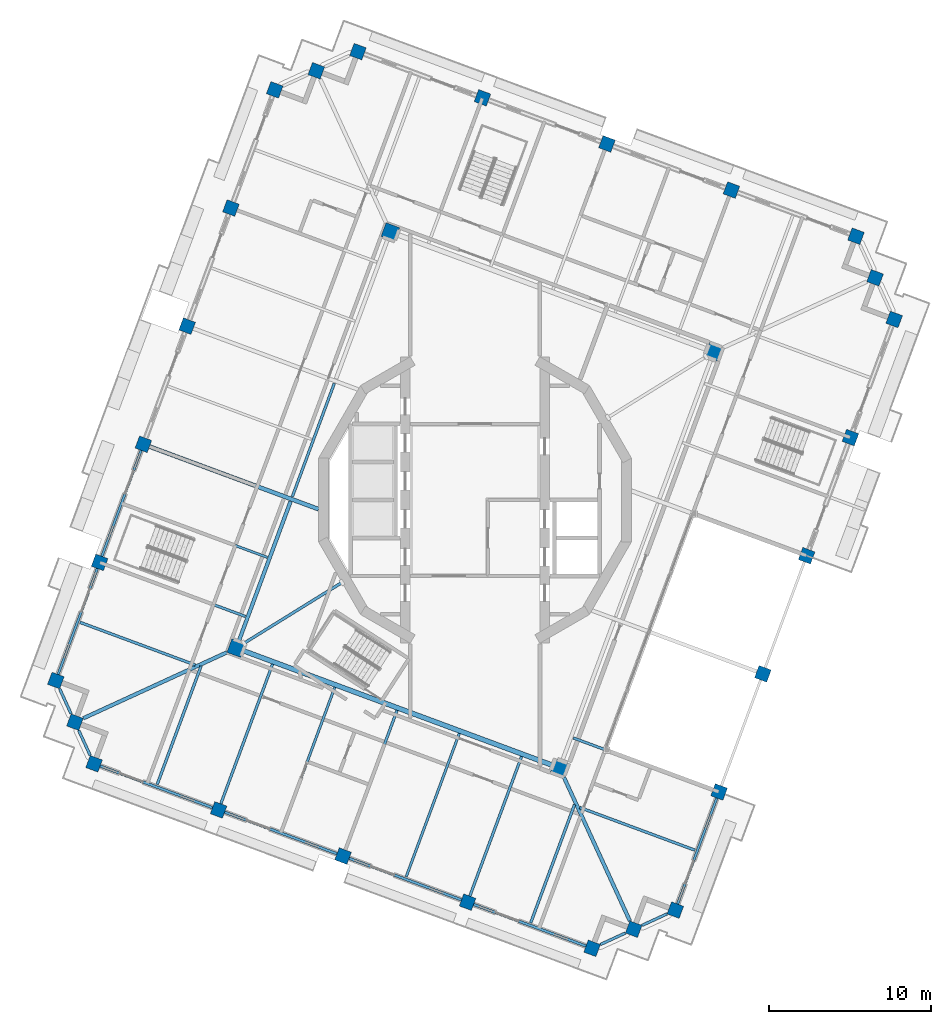
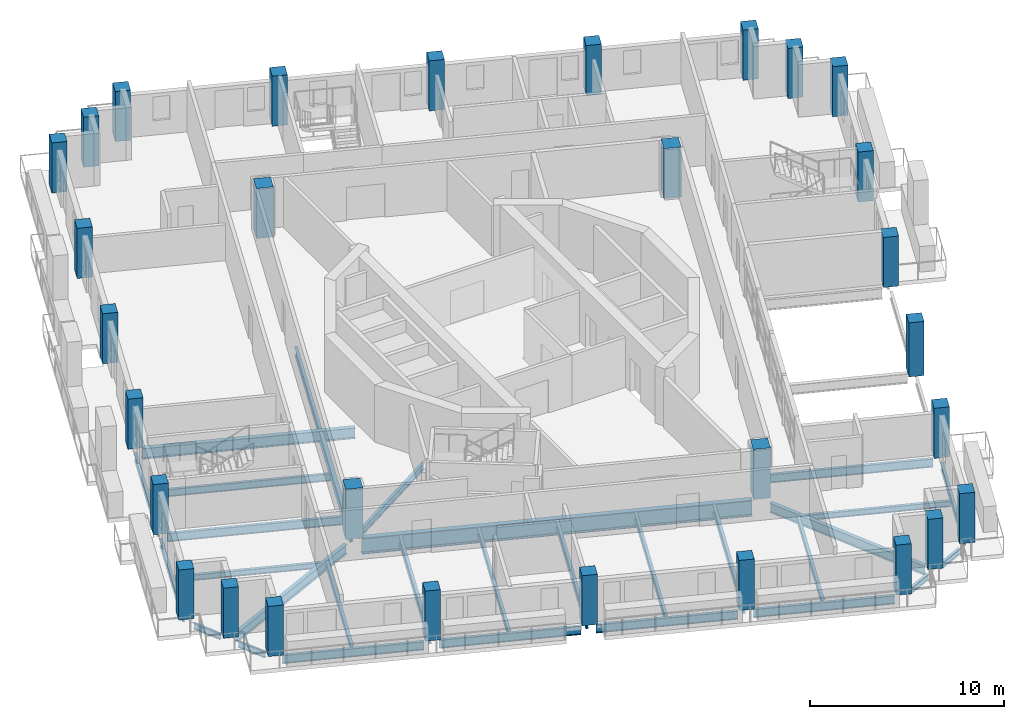
# One storey, part 1 of 19: 30 beams, 30 columns.
"""IFC4 building model written with IfcOpenShell, lengths in metres."""

import ifcopenshell
import ifcopenshell.guid

model = None  # the IFC model being written
_history = None  # IfcOwnerHistory: only IFC2X3 demands one
_inside = {}  # id of a spatial element -> (the spatial element, [elements in it])
_under = {}  # id of a project, library or spatial element -> (it, [spatial elements below it])
_declared = {}  # id of a project -> (the project, [libraries it declares])
_typed = {}  # id of a type object -> (the type object, [elements of that type])
_made_of = {}  # id of a material, layer set ... -> (it, [elements and type objects made of it])


def new_model(schema):
    """Start an empty IFC model of exactly this schema.

    Asked for "IFC4X3", IfcOpenShell would pick the latest addendum, in which some entities
    have other attributes; the version numbers below select the first issue.
    IFC2X3 requires an IfcOwnerHistory on every rooted entity: one is made here for all.
    """
    global model, _history
    if schema == "IFC4X3":
        model = ifcopenshell.file(schema_version=(4, 3, 0, 0))
    else:
        model = ifcopenshell.file(schema=schema)
    _inside.clear()
    _under.clear()
    _declared.clear()
    _typed.clear()
    _made_of.clear()
    _history = None
    if model.schema == "IFC2X3":
        org = make("IfcOrganization", Name="unknown")
        user = make(
            "IfcPersonAndOrganization",
            ThePerson=make("IfcPerson", FamilyName="unknown"),
            TheOrganization=org,
        )
        app = make(
            "IfcApplication",
            ApplicationDeveloper=org,
            Version="unknown",
            ApplicationFullName="unknown",
            ApplicationIdentifier="unknown",
        )
        _history = make(
            "IfcOwnerHistory",
            OwningUser=user,
            OwningApplication=app,
            ChangeAction="ADDED",
            CreationDate=0,
        )
    return model


def make(cls, **values):
    """One entity of the class cls with the attributes given. An attribute that is None is left unset."""
    return model.create_entity(
        cls, **{name: value for name, value in values.items() if value is not None}
    )


def rooted(cls, **values):
    """An entity with a GlobalId (a new one), such as an element, a storey or a relation."""
    return make(cls, GlobalId=ifcopenshell.guid.new(), OwnerHistory=_history, **values)


def si_unit(unit_type, name, prefix=None):
    """IfcSIUnit, for example si_unit("LENGTHUNIT", "METRE", prefix="MILLI")."""
    return make("IfcSIUnit", UnitType=unit_type, Prefix=prefix, Name=name)


def assignment(units):
    """IfcUnitAssignment: the units of a project."""
    return None if units is None else make("IfcUnitAssignment", Units=units)


def point(xyz):
    """IfcCartesianPoint."""
    return None if xyz is None else make("IfcCartesianPoint", Coordinates=xyz)


def direction(xyz):
    """IfcDirection."""
    return None if xyz is None else make("IfcDirection", DirectionRatios=xyz)


def frame(location, z_axis=None, x_axis=None):
    """IfcAxis2Placement3D, a coordinate frame: its origin and axes. An axis left out is left unset."""
    return make(
        "IfcAxis2Placement3D",
        Location=point(location),
        Axis=direction(z_axis),
        RefDirection=direction(x_axis),
    )


def frame_2d(location, x_axis=None):
    """IfcAxis2Placement2D, a coordinate frame in the plane: its origin and x axis."""
    return make(
        "IfcAxis2Placement2D", Location=point(location), RefDirection=direction(x_axis)
    )


def origin():
    """The frame at (0, 0, 0) with its axes left unset."""
    return frame((0.0, 0.0, 0.0))


def origin_2d():
    """The frame at (0, 0) in the plane with its x axis left unset."""
    return frame_2d((0.0, 0.0))


def place(relative_to, where):
    """IfcLocalPlacement: puts the frame where relative to a parent placement (None: the world)."""
    return make(
        "IfcLocalPlacement", PlacementRelTo=relative_to, RelativePlacement=where
    )


def context(
    kind, dimensions, precision=None, world=None, true_north=None, identifier=None
):
    """IfcGeometricRepresentationContext, for example the 3D "Model" context."""
    return make(
        "IfcGeometricRepresentationContext",
        ContextIdentifier=identifier,
        ContextType=kind,
        CoordinateSpaceDimension=dimensions,
        Precision=precision,
        WorldCoordinateSystem=world,
        TrueNorth=true_north,
    )


def subcontext(parent, identifier, kind, view, scale=None):
    """IfcGeometricRepresentationSubContext, for example "Body" below "Model"."""
    return make(
        "IfcGeometricRepresentationSubContext",
        ContextIdentifier=identifier,
        ContextType=kind,
        ParentContext=parent,
        TargetScale=scale,
        TargetView=view,
    )


def project(units=None, contexts=None):
    """IfcProject with its units and contexts."""
    return rooted(
        "IfcProject",
        Name="project",
        RepresentationContexts=contexts,
        UnitsInContext=assignment(units),
    )


def spatial(cls, under=None, at=None, **own):
    """A site, building, storey or space (cls), placed at a placement, below another one or the project."""
    s = rooted(cls, ObjectPlacement=at, **own)
    if under is not None:
        _under.setdefault(under.id(), (under, []))[1].append(s)
    return s


def profile(cls, at=None, kind="AREA", **sizes):
    """A parametric profile (cls). Its sizes go by their IFC names, for example OverallWidth=200.0."""
    return make(cls, ProfileType=kind, Position=at, **sizes)


def rectangle(**sizes):
    """IfcRectangleProfileDef."""
    return profile("IfcRectangleProfileDef", **sizes)


def i_section(**sizes):
    """IfcIShapeProfileDef."""
    return profile("IfcIShapeProfileDef", **sizes)


def extrude(swept, where, along, depth):
    """IfcExtrudedAreaSolid: the profile swept, set in the frame where, extruded along a direction by depth."""
    return make(
        "IfcExtrudedAreaSolid",
        SweptArea=swept,
        Position=where,
        ExtrudedDirection=direction(along),
        Depth=depth,
    )


def shape(context_of_items, identifier, shape_type, items):
    """IfcShapeRepresentation: the items that make up one representation, for example the "Body"."""
    return make(
        "IfcShapeRepresentation",
        ContextOfItems=context_of_items,
        RepresentationIdentifier=identifier,
        RepresentationType=shape_type,
        Items=items,
    )


def material(Name=None, Category=None):
    """IfcMaterial."""
    return make("IfcMaterial", Name=Name, Category=Category)


def material_profile(
    of_material, cross_section, Name=None, Category=None, Priority=None
):
    """IfcMaterialProfile: a cross section and its material."""
    return make(
        "IfcMaterialProfile",
        Name=Name,
        Material=of_material,
        Profile=cross_section,
        Priority=Priority,
        Category=Category,
    )


def profile_set(profiles, Name=None, composite=None):
    """IfcMaterialProfileSet."""
    return make(
        "IfcMaterialProfileSet",
        Name=Name,
        MaterialProfiles=profiles,
        CompositeProfile=composite,
    )


def made_of(thing, what):
    """Note that an element or type object is made of a material, layer set ...; save() writes the relation."""
    if what is not None:
        _made_of.setdefault(what.id(), (what, []))[1].append(thing)
    return thing


def type_object(cls, material=None, **own):
    """A type object (cls), such as IfcWallType, which elements share."""
    return made_of(rooted(cls, **own), material)


def element(
    cls,
    number,
    at=None,
    inside=None,
    cuts=None,
    type_object=None,
    material=None,
    context=None,
    identifier="Body",
    shape_type=None,
    held_by="IfcProductDefinitionShape",
    body=None,
    shapes=None,
    **own,
):
    """One element of the class cls, such as IfcWall. Its Tag is "e" and its number.

    at: its placement. inside: the storey or other place that contains it. cuts: it is an
    opening in that element (IfcRelVoidsElement). A single representation is given by context,
    identifier, shape_type and body (its items); several are given by shapes. held_by: the class
    of the entity that holds the representations. save() writes the other relations.
    """
    e = rooted(cls, Tag="e%d" % number, ObjectPlacement=at, **own)
    if body is not None:
        shapes = [shape(context, identifier, shape_type, body)]
    if shapes is not None:
        e.Representation = make(held_by, Representations=shapes)
    if inside is not None:
        _inside.setdefault(inside.id(), (inside, []))[1].append(e)
    if cuts is not None:
        rooted(
            "IfcRelVoidsElement", RelatingBuildingElement=cuts, RelatedOpeningElement=e
        )
    if type_object is not None:
        _typed.setdefault(type_object.id(), (type_object, []))[1].append(e)
    return made_of(e, material)


def aggregate(whole, parts):
    """IfcRelAggregates: a whole, such as a stair, and the parts it consists of."""
    return rooted("IfcRelAggregates", RelatingObject=whole, RelatedObjects=parts)


def save(model, path):
    """Write the relations noted so far, then the file.

    IfcRelAggregates (storeys below a building ...), IfcRelContainedInSpatialStructure (elements
    in a storey), IfcRelDefinesByType, IfcRelAssociatesMaterial and IfcRelDeclares: one each for
    every whole, place, type object, material and project.
    """
    for whole, parts in _under.values():
        aggregate(whole, parts)
    for where, things in _inside.values():
        rooted(
            "IfcRelContainedInSpatialStructure",
            RelatedElements=things,
            RelatingStructure=where,
        )
    for kind, things in _typed.values():
        rooted("IfcRelDefinesByType", RelatedObjects=things, RelatingType=kind)
    for what, things in _made_of.values():
        rooted("IfcRelAssociatesMaterial", RelatedObjects=things, RelatingMaterial=what)
    for by, libraries in _declared.values():
        rooted("IfcRelDeclares", RelatingContext=by, RelatedDefinitions=libraries)
    model.write(path)


model = new_model("IFC4")

# Units and contexts
model_context = context("Model", 3, precision=1e-05, world=origin(), true_north=direction((0.0, 1.0)))
body_context = subcontext(model_context, "Body", "Model", "MODEL_VIEW")
ifc_project = project(units=[si_unit("LENGTHUNIT", "METRE"), si_unit("AREAUNIT", "SQUARE_METRE"), si_unit("VOLUMEUNIT", "CUBIC_METRE"), si_unit("PLANEANGLEUNIT", "RADIAN"), si_unit("MASSUNIT", "GRAM", prefix="KILO")], contexts=[model_context])

# Site, building, storey
site_placement = place(None, origin())
site = spatial("IfcSite", under=ifc_project, at=site_placement, CompositionType="ELEMENT")
building_placement = place(site_placement, origin())
building = spatial("IfcBuilding", under=site, at=building_placement, Name="Cantera Rosa Tower", CompositionType="ELEMENT")
storey_placement = place(building_placement, frame((0.0, 0.0, 342.10009765625)))
storey = spatial("IfcBuildingStorey", under=building, at=storey_placement, Name="L77", CompositionType="ELEMENT", Elevation=342.10009765625)

# Columns
ifc_material_1 = material(Name="Concrete C50/60", Category="concrete")
ifc_material_profile_1 = material_profile(ifc_material_1, rectangle(XDim=0.800048828125, YDim=0.800048828125, at=origin_2d()), Name="RC COLUMN RC800X800 C50/60")
ifc_profile_set_1 = profile_set([ifc_material_profile_1], Name="Concrete C50/60")
column_type_1 = type_object("IfcColumnType", Name="RC COLUMN RC800X800 C50/60", PredefinedType="COLUMN", material=ifc_profile_set_1)
for number, where, z_axis, x_axis, name in (
    (1, (23.526611328125, 16.2900390625, 0.0), (0.0, 0.0, 1.0), (0.347481234489, 0.937686936924, 0.0), "C-Z6-01 L77"),
    (2, (15.83740234375, 19.139404296875, 0.0), (0.0, 0.0, 1.0), (0.347481234489, 0.937686936924, 0.0), "C-Z6-02 L77"),
    (3, (8.1484375, 21.98876953125, 0.0), (0.0, 0.0, 1.0), (0.347481234489, 0.937686936924, 0.0), "C-Z6-03 L77"),
    (4, (0.45947265625, 24.838134765625, 0.0), (0.0, 0.0, 1.0), (0.347481234489, 0.937686936924, 0.0), "C-Z6-04 L77"),
    (5, (-7.229736328125, 27.6875, 0.0), (0.0, 0.0, 1.0), (0.347481234489, 0.937686936924, 0.0), "C-Z6-05 L77"),
    (6, (-9.800048828125, 26.507080078125, 0.0), (0.0, 0.0, 1.0), (0.347481234489, 0.937686936924, 0.0), "C-Z6-06 L77"),
    (7, (-12.370361328125, 25.32666015625, 0.0), (0.0, 0.0, 1.0), (0.347481234489, 0.937686936924, 0.0), "C-Z6-07 L77"),
    (8, (-15.07373046875, 18.031494140625, 0.0), (0.0, 0.0, 1.0), (0.347481234489, 0.937686936924, 0.0), "C-Z6-08 L77"),
    (9, (-17.777099609375, 10.736328125, 0.0), (0.0, 0.0, 1.0), (0.347481234489, 0.937686936924, 0.0), "C-Z6-09 L77"),
    (10, (-20.48046875, 3.44091796875, 0.0), (0.0, 0.0, 1.0), (0.347481234489, 0.937686936924, 0.0), "C-Z6-10 L77"),
    (11, (-23.183837890625, -3.854248046875, 0.0), (0.0, 0.0, 1.0), (0.347481234489, 0.937686936924, 0.0), "C-Z6-11 L77"),
    (12, (-25.88720703125, -11.1494140625, 0.0), (0.0, 0.0, 1.0), (0.347481234489, 0.937686936924, 0.0), "C-Z6-12 L77"),
    (13, (-24.70703125, -13.7197265625, 0.0), (0.0, 0.0, 1.0), (0.347481234489, 0.937686936924, 0.0), "C-Z6-13 L77"),
    (14, (-23.526611328125, -16.2900390625, 0.0), (0.0, 0.0, 1.0), (0.347481234489, 0.937686936924, 0.0), "C-Z6-14 L77"),
    (15, (-15.83740234375, -19.139404296875, 0.0), (0.0, 0.0, 1.0), (0.347481234489, 0.937686936924, 0.0), "C-Z6-15 L77"),
    (16, (-8.1484375, -21.98876953125, 0.0), (0.0, 0.0, 1.0), (0.347481234489, 0.937686936924, 0.0), "C-Z6-16 L77"),
    (17, (-0.45947265625, -24.838134765625, 0.0), (0.0, 0.0, 1.0), (0.347481234489, 0.937686936924, 0.0), "C-Z6-17 L77"),
    (18, (7.229736328125, -27.6875, 0.0), (0.0, 0.0, 1.0), (0.347481234489, 0.937686936924, 0.0), "C-Z6-18 L77"),
    (19, (9.800048828125, -26.507080078125, 0.0), (0.0, 0.0, 1.0), (0.347481234489, 0.937686936924, 0.0), "C-Z6-19 L77"),
    (20, (12.370361328125, -25.32666015625, 0.0), (0.0, 0.0, 1.0), (0.347481234489, 0.937686936924, 0.0), "C-Z6-20 L77"),
    (21, (15.07373046875, -18.031494140625, 0.0), (0.0, 0.0, 1.0), (0.347481234489, 0.937686936924, 0.0), "C-Z6-21 L77"),
):
    element("IfcColumn", number, at=place(storey_placement, frame(where, z_axis=z_axis, x_axis=x_axis)), inside=storey, type_object=column_type_1, Name=name, PredefinedType="COLUMN", context=body_context, shape_type="SweptSolid", body=[
        extrude(rectangle(XDim=0.800048828125, YDim=0.800048828125, at=origin_2d()), origin(), (0.0, 0.0, 1.0), 3.14990234375),
    ])
column_placement = place(storey_placement, frame((17.777099609375, -10.736328125, -0.25), z_axis=(0.0, 0.0, 1.0), x_axis=(0.347481234489, 0.937686936924, 0.0)))
element("IfcColumn", 22, at=column_placement, inside=storey, type_object=column_type_1, Name="C-Z6-22 L77", PredefinedType="COLUMN", context=body_context, shape_type="SweptSolid", body=[
    extrude(rectangle(XDim=0.800048828125, YDim=0.800048828125, at=origin_2d()), origin(), (0.0, 0.0, 1.0), 3.39990234375),
])
for number, where, z_axis, x_axis, name in (
    (23, (20.48046875, -3.44091796875, 0.0), (0.0, 0.0, 1.0), (0.347481234489, 0.937686936924, 0.0), "C-Z6-23 L77"),
    (24, (23.183837890625, 3.854248046875, 0.0), (0.0, 0.0, 1.0), (0.347481234489, 0.937686936924, 0.0), "C-Z6-24 L77"),
    (25, (25.88720703125, 11.1494140625, 0.0), (0.0, 0.0, 1.0), (0.347481234489, 0.937686936924, 0.0), "C-Z6-25 L77"),
    (26, (24.70703125, 13.7197265625, 0.0), (0.0, 0.0, 1.0), (0.347481234489, 0.937686936924, 0.0), "C-Z6-26 L77"),
):
    element("IfcColumn", number, at=place(storey_placement, frame(where, z_axis=z_axis, x_axis=x_axis)), inside=storey, type_object=column_type_1, Name=name, PredefinedType="COLUMN", context=body_context, shape_type="SweptSolid", body=[
        extrude(rectangle(XDim=0.800048828125, YDim=0.800048828125, at=origin_2d()), origin(), (0.0, 0.0, 1.0), 3.14990234375),
    ])
ifc_material_2 = material(Name="Concrete C50/60", Category="concrete")
ifc_material_profile_2 = material_profile(ifc_material_2, rectangle(XDim=0.89990234375, YDim=0.89990234375, at=origin_2d()), Name="RC RING COLUMN RC900X900 C50/60")
ifc_profile_set_2 = profile_set([ifc_material_profile_2], Name="Concrete C50/60")
column_type_2 = type_object("IfcColumnType", Name="RC RING COLUMN RC900X900 C50/60", PredefinedType="COLUMN", material=ifc_profile_set_2)
for number, where, z_axis, x_axis, name in (
    (27, (-5.225830078125, 16.546875, 0.0), (0.0, 0.0, 1.0), (0.347481234489, 0.937686936924, 0.0), "CI-Z6-1 L77"),
    (28, (-14.746826171875, -9.145751953125, 0.0), (0.0, 0.0, 1.0), (0.347481234489, 0.937686936924, 0.0), "CI-Z6-2 L77"),
    (29, (5.225830078125, -16.546875, 0.0), (0.0, 0.0, 1.0), (0.347481234489, 0.937686936924, 0.0), "CI-Z6-3 L77"),
    (30, (14.746826171875, 9.145751953125, 0.0), (0.0, 0.0, 1.0), (0.347481234489, 0.937686936924, 0.0), "CI-Z6-4 L77"),
):
    element("IfcColumn", number, at=place(storey_placement, frame(where, z_axis=z_axis, x_axis=x_axis)), inside=storey, type_object=column_type_2, Name=name, PredefinedType="COLUMN", context=body_context, shape_type="SweptSolid", body=[
        extrude(rectangle(XDim=0.89990234375, YDim=0.89990234375, at=origin_2d()), origin(), (0.0, 0.0, 1.0), 3.14990234375),
    ])

# Beams
ifc_material_3 = material(Name="Steel ASTM A992 (Fy 345 MPa)", Category="steel")
ifc_material_profile_3 = material_profile(ifc_material_3, i_section(OverallWidth=0.302001953125, OverallDepth=1.010009765625, WebThickness=0.02099609375, FlangeThickness=0.0400390625, FilletRadius=0.030029296875, at=origin_2d()), Name="W1000X350")
ifc_profile_set_3 = profile_set([ifc_material_profile_3], Name="Steel ASTM A992 (Fy 345 MPa)")
beam_type_1 = type_object("IfcBeamType", Name="STEEL BEAM W1000X350", PredefinedType="BEAM", material=ifc_profile_set_3)
beam_1_placement = place(storey_placement, frame((4.803955078125, -16.390625, -0.755126953125), z_axis=(-0.937687392162, 0.347480006017, 0.0), x_axis=(-0.347480006017, -0.937687392162, 0.0)))
element("IfcBeam", 31, at=beam_1_placement, inside=storey, type_object=beam_type_1, Name="RB-Z6-08 L77", PredefinedType="BEAM", context=body_context, shape_type="SweptSolid", body=[
    extrude(i_section(OverallWidth=0.302001953125, OverallDepth=1.010009765625, WebThickness=0.02099609375, FlangeThickness=0.0400390625, FilletRadius=0.030029296875, at=origin_2d()), origin(), (0.0, 0.0, 1.0), 20.400146484375),
])
ifc_material_4 = material(Name="Steel ASTM A992 (Fy 345 MPa)", Category="steel")
ifc_material_profile_4 = material_profile(ifc_material_4, i_section(OverallWidth=0.177978515625, OverallDepth=0.406005859375, WebThickness=0.0078125, FlangeThickness=0.0126953125, FilletRadius=0.01025390625, at=origin_2d()), Name="W410X60")
ifc_profile_set_4 = profile_set([ifc_material_profile_4], Name="Steel ASTM A992 (Fy 345 MPa)")
beam_type_2 = type_object("IfcBeamType", Name="STEEL BEAM W410X60", PredefinedType="BEAM", material=ifc_profile_set_4)
beam_2_placement = place(storey_placement, frame((-14.262451171875, -8.84521484375, -0.453125), z_axis=(0.849840939707, 0.527039255841, 0.0), x_axis=(-0.527039255841, 0.849840939707, 0.0)))
element("IfcBeam", 32, at=beam_2_placement, inside=storey, type_object=beam_type_2, Name="PG-Z6-01 L77", PredefinedType="BEAM", context=body_context, shape_type="SweptSolid", body=[
    extrude(i_section(OverallWidth=0.177978515625, OverallDepth=0.406005859375, WebThickness=0.0078125, FlangeThickness=0.0126953125, FilletRadius=0.01025390625, at=origin_2d()), origin(), (0.0, 0.0, 1.0), 7.118408203125),
])
ifc_material_5 = material(Name="Steel ASTM A992 (Fy 345 MPa)", Category="steel")
ifc_material_profile_5 = material_profile(ifc_material_5, i_section(OverallWidth=0.166015625, OverallDepth=0.528076171875, WebThickness=0.009765625, FlangeThickness=0.013671875, FilletRadius=0.0126953125, at=origin_2d()), Name="W530X74")
ifc_profile_set_5 = profile_set([ifc_material_profile_5], Name="Steel ASTM A992 (Fy 345 MPa)")
beam_type_3 = type_object("IfcBeamType", Name="STEEL BEAM W530X74", PredefinedType="BEAM", material=ifc_profile_set_5)
for number, where, z_axis, x_axis, name in (
    (33, (-22.808837890625, -3.9931640625, -0.51416015625), (0.937688566, -0.347476838353, 0.0), (0.347476838353, 0.937688566, 0.0), "G-Z6-07 L77"),
    (34, (14.69873046875, -17.892333984375, -0.51416015625), (-0.937688566, 0.347476838353, 0.0), (-0.347476838353, -0.937688566, 0.0), "G-Z6-08 L77"),
    (35, (-15.698486328125, -18.764404296875, -0.51416015625), (0.347476838353, 0.937688566, 0.0), (-0.937688566, 0.347476838353, 0.0), "G-Z6-12 L77"),
    (36, (-8.009521484375, -21.61376953125, -0.51416015625), (0.34750017104, 0.937679919337, 0.0), (-0.937679919337, 0.34750017104, 0.0), "G-Z6-13 L77"),
    (37, (-0.3203125, -24.463134765625, -0.51416015625), (0.347476838353, 0.937688566, 0.0), (-0.937688566, 0.347476838353, 0.0), "G-Z6-14 L77"),
):
    element("IfcBeam", number, at=place(storey_placement, frame(where, z_axis=z_axis, x_axis=x_axis)), inside=storey, type_object=beam_type_3, Name=name, PredefinedType="BEAM", context=body_context, shape_type="SweptSolid", body=[
        extrude(i_section(OverallWidth=0.166015625, OverallDepth=0.528076171875, WebThickness=0.009765625, FlangeThickness=0.013671875, FilletRadius=0.0126953125, at=origin_2d()), origin(), (0.0, 0.0, 1.0), 9.199951171875),
    ])
beam_3_placement = place(storey_placement, frame((-11.285888671875, 0.19384765625, -0.51416015625), z_axis=(0.347486566882, 0.937684960867, 0.0), x_axis=(-0.937684960867, 0.347486566882, 0.0)))
element("IfcBeam", 38, at=beam_3_placement, inside=storey, type_object=beam_type_3, Name="RB-Z6-02 L77", PredefinedType="BEAM", context=body_context, shape_type="SweptSolid", body=[
    extrude(i_section(OverallWidth=0.166015625, OverallDepth=0.528076171875, WebThickness=0.009765625, FlangeThickness=0.013671875, FilletRadius=0.0126953125, at=origin_2d()), origin(), (0.0, 0.0, 1.0), 7.479736328125),
])
ifc_material_6 = material(Name="Steel ASTM A992 (Fy 345 MPa)", Category="steel")
ifc_material_profile_6 = material_profile(ifc_material_6, i_section(OverallWidth=0.22802734375, OverallDepth=0.60205078125, WebThickness=0.010498046875, FlangeThickness=0.014892578125, FilletRadius=0.0126953125, at=origin_2d()), Name="W610X101")
ifc_profile_set_6 = profile_set([ifc_material_profile_6], Name="Steel ASTM A992 (Fy 345 MPa)")
beam_type_4 = type_object("IfcBeamType", Name="STEEL BEAM W610X101", PredefinedType="BEAM", material=ifc_profile_set_6)
for number, where, z_axis, x_axis, name in (
    (39, (-24.19287109375, -13.483642578125, -0.551025390625), (0.908747889595, 0.417345508131, 0.0), (-0.417345508131, 0.908747889595, 0.0), "CB-Z6-02 L77"),
    (40, (9.56396484375, -25.992919921875, -0.551025390625), (-0.417345508131, 0.908747889595, 0.0), (-0.908747889595, -0.417345508131, 0.0), "CB-Z6-03 L77"),
):
    element("IfcBeam", number, at=place(storey_placement, frame(where, z_axis=z_axis, x_axis=x_axis)), inside=storey, type_object=beam_type_4, Name=name, PredefinedType="BEAM", context=body_context, shape_type="SweptSolid", body=[
        extrude(i_section(OverallWidth=0.22802734375, OverallDepth=0.60205078125, WebThickness=0.010498046875, FlangeThickness=0.014892578125, FilletRadius=0.0126953125, at=origin_2d()), origin(), (0.0, 0.0, 1.0), 9.758056640625),
    ])
beam_4_placement = place(storey_placement, frame((-14.590576171875, -8.7236328125, -0.551025390625), z_axis=(0.347498244979, 0.937680633125, 0.0), x_axis=(-0.937680633125, 0.347498244979, 0.0)))
element("IfcBeam", 41, at=beam_4_placement, inside=storey, type_object=beam_type_4, Name="RB-Z6-01 L77", PredefinedType="BEAM", context=body_context, shape_type="SweptSolid", body=[
    extrude(i_section(OverallWidth=0.22802734375, OverallDepth=0.60205078125, WebThickness=0.010498046875, FlangeThickness=0.014892578125, FilletRadius=0.0126953125, at=origin_2d()), origin(), (0.0, 0.0, 1.0), 9.2099609375),
])
ifc_material_7 = material(Name="Steel ASTM A992 (Fy 345 MPa)", Category="steel")
ifc_material_profile_7 = material_profile(ifc_material_7, i_section(OverallWidth=0.25390625, OverallDepth=0.677978515625, WebThickness=0.01171875, FlangeThickness=0.016357421875, FilletRadius=0.01513671875, at=origin_2d()), Name="W690X125")
ifc_profile_set_7 = profile_set([ifc_material_profile_7], Name="Steel ASTM A992 (Fy 345 MPa)")
beam_type_5 = type_object("IfcBeamType", Name="STEEL BEAM W690X125", PredefinedType="BEAM", material=ifc_profile_set_7)
beam_5_placement = place(storey_placement, frame((-20.10546875, 3.302001953125, -0.589111328125), z_axis=(0.937687416585, -0.347479940109, 0.0), x_axis=(0.347479940109, 0.937687416585, 0.0)))
element("IfcBeam", 42, at=beam_5_placement, inside=storey, type_object=beam_type_5, Name="G-Z6-06 L77", PredefinedType="BEAM", context=body_context, shape_type="SweptSolid", body=[
    extrude(i_section(OverallWidth=0.25390625, OverallDepth=0.677978515625, WebThickness=0.01171875, FlangeThickness=0.016357421875, FilletRadius=0.01513671875, at=origin_2d()), origin(), (0.0, 0.0, 1.0), 11.140380859375),
])
ifc_material_8 = material(Name="Steel ASTM A992 (Fy 345 MPa)", Category="steel")
ifc_material_profile_8 = material_profile(ifc_material_8, i_section(OverallWidth=0.1708984375, OverallDepth=0.35595703125, WebThickness=0.00732421875, FlangeThickness=0.01171875, FilletRadius=0.010009765625, at=origin_2d()), Name="W360X51")
ifc_profile_set_8 = profile_set([ifc_material_profile_8], Name="Steel ASTM A992 (Fy 345 MPa)")
beam_type_6 = type_object("IfcBeamType", Name="STEEL JOIST W360X51", PredefinedType="JOIST", material=ifc_profile_set_8)
beam_6_placement = place(storey_placement, frame((-24.39501953125, -7.553955078125, -0.427978515625), z_axis=(0.937686277131, -0.347483014951, 0.0), x_axis=(0.347483014951, 0.937686277131, 0.0)))
element("IfcBeam", 43, at=beam_6_placement, inside=storey, type_object=beam_type_6, Name="B-Z6-09 L77", PredefinedType="JOIST", context=body_context, shape_type="SweptSolid", body=[
    extrude(i_section(OverallWidth=0.1708984375, OverallDepth=0.35595703125, WebThickness=0.00732421875, FlangeThickness=0.01171875, FilletRadius=0.010009765625, at=origin_2d()), origin(), (0.0, 0.0, 1.0), 7.590087890625),
])
beam_7_placement = place(storey_placement, frame((13.581298828125, -21.626953125, -0.427978515625), z_axis=(-0.93768239316, 0.347493495705, 0.0), x_axis=(-0.347493495705, -0.93768239316, 0.0)))
element("IfcBeam", 44, at=beam_7_placement, inside=storey, type_object=beam_type_6, Name="B-Z6-10 L77", PredefinedType="JOIST", context=body_context, shape_type="SweptSolid", body=[
    extrude(i_section(OverallWidth=0.1708984375, OverallDepth=0.35595703125, WebThickness=0.00732421875, FlangeThickness=0.01171875, FilletRadius=0.010009765625, at=origin_2d()), origin(), (0.0, 0.0, 1.0), 7.58984375),
])
for number, where, z_axis, x_axis, name in (
    (45, (-19.6298828125, -17.573974609375, -0.427978515625), (0.347491728417, 0.937683048093, 0.0), (-0.937683048093, 0.347491728417, 0.0), "B-Z6-15 L77"),
    (46, (3.437255859375, -26.1220703125, -0.427978515625), (0.347491728417, 0.937683048093, 0.0), (-0.937683048093, 0.347491728417, 0.0), "B-Z6-18 L77"),
):
    element("IfcBeam", number, at=place(storey_placement, frame(where, z_axis=z_axis, x_axis=x_axis)), inside=storey, type_object=beam_type_6, Name=name, PredefinedType="JOIST", context=body_context, shape_type="SweptSolid", body=[
        extrude(i_section(OverallWidth=0.1708984375, OverallDepth=0.35595703125, WebThickness=0.00732421875, FlangeThickness=0.01171875, FilletRadius=0.010009765625, at=origin_2d()), origin(), (0.0, 0.0, 1.0), 7.800048828125),
    ])
ifc_material_9 = material(Name="Steel ASTM A992 (Fy 345 MPa)", Category="steel")
ifc_material_profile_9 = material_profile(ifc_material_9, i_section(OverallWidth=0.154052734375, OverallDepth=0.4599609375, WebThickness=0.009033203125, FlangeThickness=0.015380859375, FilletRadius=0.01025390625, at=origin_2d()), Name="W460X68")
ifc_profile_set_9 = profile_set([ifc_material_profile_9], Name="Steel ASTM A992 (Fy 345 MPa)")
beam_type_7 = type_object("IfcBeamType", Name="STEEL JOIST W460X68", PredefinedType="JOIST", material=ifc_profile_set_9)
beam_8_placement = place(storey_placement, frame((-21.691650390625, -0.2587890625, -0.47998046875), z_axis=(0.937689536508, -0.347474219364, 0.0), x_axis=(0.347474219364, 0.937689536508, 0.0)))
element("IfcBeam", 47, at=beam_8_placement, inside=storey, type_object=beam_type_7, Name="B-Z6-08 L77", PredefinedType="JOIST", context=body_context, shape_type="SweptSolid", body=[
    extrude(i_section(OverallWidth=0.154052734375, OverallDepth=0.4599609375, WebThickness=0.009033203125, FlangeThickness=0.015380859375, FilletRadius=0.01025390625, at=origin_2d()), origin(), (0.0, 0.0, 1.0), 9.4501953125),
])
for number, where, z_axis, x_axis, name in (
    (48, (-11.94091796875, -20.42333984375, -0.47998046875), (0.347482637031, 0.937686417179, 0.0), (-0.937686417179, 0.347482637031, 0.0), "B-Z6-16 L77"),
    (49, (-4.251708984375, -23.272705078125, -0.47998046875), (0.347482637031, 0.937686417179, 0.0), (-0.937686417179, 0.347482637031, 0.0), "B-Z6-17 L77"),
):
    element("IfcBeam", number, at=place(storey_placement, frame(where, z_axis=z_axis, x_axis=x_axis)), inside=storey, type_object=beam_type_7, Name=name, PredefinedType="JOIST", context=body_context, shape_type="SweptSolid", body=[
        extrude(i_section(OverallWidth=0.154052734375, OverallDepth=0.4599609375, WebThickness=0.009033203125, FlangeThickness=0.015380859375, FilletRadius=0.01025390625, at=origin_2d()), origin(), (0.0, 0.0, 1.0), 9.449951171875),
    ])
ifc_material_10 = material(Name="Steel ASTM A992 (Fy 345 MPa)", Category="steel")
ifc_material_profile_10 = material_profile(ifc_material_10, i_section(OverallWidth=0.1708984375, OverallDepth=0.35595703125, WebThickness=0.00732421875, FlangeThickness=0.01171875, FilletRadius=0.010009765625, at=origin_2d()), Name="W360X51")
ifc_profile_set_10 = profile_set([ifc_material_profile_10], Name="Steel ASTM A992 (Fy 345 MPa)")
beam_type_8 = type_object("IfcBeamType", Name="STEEL SPANDREL BEAM W360X51", PredefinedType="SPANDREL", material=ifc_profile_set_10)
for number, where, z_axis, x_axis, name in (
    (50, (-25.651123046875, -11.66357421875, -0.427978515625), (0.417268968709, -0.908783036677, 0.0), (0.908783036677, 0.417268968709, 0.0), "EB-Z6-12 L77"),
    (51, (-24.470947265625, -14.23388671875, -0.427978515625), (0.417387791404, -0.908728469669, 0.0), (0.908728469669, 0.417387791404, 0.0), "EB-Z6-13 L77"),
):
    element("IfcBeam", number, at=place(storey_placement, frame(where, z_axis=z_axis, x_axis=x_axis)), inside=storey, type_object=beam_type_8, Name=name, PredefinedType="SPANDREL", context=body_context, shape_type="SweptSolid", body=[
        extrude(i_section(OverallWidth=0.1708984375, OverallDepth=0.35595703125, WebThickness=0.00732421875, FlangeThickness=0.01171875, FilletRadius=0.010009765625, at=origin_2d()), origin(), (0.0, 0.0, 1.0), 1.69677734375),
    ])
for number, where, z_axis, x_axis, name in (
    (52, (7.74365234375, -27.451416015625, -0.427978515625), (0.908753529973, 0.417333226286, 0.0), (-0.417333226286, 0.908753529973, 0.0), "EB-Z6-18 L77"),
    (53, (10.31396484375, -26.27099609375, -0.427978515625), (0.908753529973, 0.417333226286, 0.0), (-0.417333226286, 0.908753529973, 0.0), "EB-Z6-19 L77"),
):
    element("IfcBeam", number, at=place(storey_placement, frame(where, z_axis=z_axis, x_axis=x_axis)), inside=storey, type_object=beam_type_8, Name=name, PredefinedType="SPANDREL", context=body_context, shape_type="SweptSolid", body=[
        extrude(i_section(OverallWidth=0.1708984375, OverallDepth=0.35595703125, WebThickness=0.00732421875, FlangeThickness=0.01171875, FilletRadius=0.010009765625, at=origin_2d()), origin(), (0.0, 0.0, 1.0), 1.697021484375),
    ])
ifc_material_11 = material(Name="Steel ASTM A992 (Fy 345 MPa)", Category="steel")
ifc_material_profile_11 = material_profile(ifc_material_11, i_section(OverallWidth=0.154052734375, OverallDepth=0.4599609375, WebThickness=0.009033203125, FlangeThickness=0.015380859375, FilletRadius=0.01025390625, at=origin_2d()), Name="W460X68")
ifc_profile_set_11 = profile_set([ifc_material_profile_11], Name="Steel ASTM A992 (Fy 345 MPa)")
beam_type_9 = type_object("IfcBeamType", Name="STEEL SPANDREL BEAM W460X68", PredefinedType="SPANDREL", material=ifc_profile_set_11)
beam_9_placement = place(storey_placement, frame((-20.61962890625, 3.06591796875, -0.47998046875), z_axis=(-0.347471562124, -0.937690521182, 0.0), x_axis=(0.937690521182, -0.347471562124, 0.0)))
element("IfcBeam", 54, at=beam_9_placement, inside=storey, type_object=beam_type_9, Name="EB-Z6-10 L77", PredefinedType="SPANDREL", context=body_context, shape_type="SweptSolid", body=[
    extrude(i_section(OverallWidth=0.154052734375, OverallDepth=0.4599609375, WebThickness=0.009033203125, FlangeThickness=0.015380859375, FilletRadius=0.01025390625, at=origin_2d()), origin(), (0.0, 0.0, 1.0), 6.979736328125),
])
beam_10_placement = place(storey_placement, frame((-23.322998046875, -4.229248046875, -0.47998046875), z_axis=(-0.347460165909, -0.937694744097, 0.0), x_axis=(0.937694744097, -0.347460165909, 0.0)))
element("IfcBeam", 55, at=beam_10_placement, inside=storey, type_object=beam_type_9, Name="EB-Z6-11 L77", PredefinedType="SPANDREL", context=body_context, shape_type="SweptSolid", body=[
    extrude(i_section(OverallWidth=0.154052734375, OverallDepth=0.4599609375, WebThickness=0.009033203125, FlangeThickness=0.015380859375, FilletRadius=0.01025390625, at=origin_2d()), origin(), (0.0, 0.0, 1.0), 6.97998046875),
])
beam_11_placement = place(storey_placement, frame((12.50927734375, -24.95166015625, -0.47998046875), z_axis=(0.347490919506, 0.937683347864, 0.0), x_axis=(-0.937683347864, 0.347490919506, 0.0)))
element("IfcBeam", 56, at=beam_11_placement, inside=storey, type_object=beam_type_9, Name="EB-Z6-20 L77", PredefinedType="SPANDREL", context=body_context, shape_type="SweptSolid", body=[
    extrude(i_section(OverallWidth=0.154052734375, OverallDepth=0.4599609375, WebThickness=0.009033203125, FlangeThickness=0.015380859375, FilletRadius=0.01025390625, at=origin_2d()), origin(), (0.0, 0.0, 1.0), 6.980224609375),
])
ifc_material_12 = material(Name="Steel ASTM A992 (Fy 345 MPa)", Category="steel")
ifc_material_profile_12 = material_profile(ifc_material_12, i_section(OverallWidth=0.166015625, OverallDepth=0.528076171875, WebThickness=0.009765625, FlangeThickness=0.013671875, FilletRadius=0.0126953125, at=origin_2d()), Name="W530X74")
ifc_profile_set_12 = profile_set([ifc_material_profile_12], Name="Steel ASTM A992 (Fy 345 MPa)")
beam_type_10 = type_object("IfcBeamType", Name="STEEL SPANDREL BEAM W530X74", PredefinedType="SPANDREL", material=ifc_profile_set_12)
beam_12_placement = place(storey_placement, frame((-23.1513671875, -16.428955078125, -0.51416015625), z_axis=(0.937676706507, -0.347508840281, 0.0), x_axis=(0.347508840281, 0.937676706507, 0.0)))
element("IfcBeam", 57, at=beam_12_placement, inside=storey, type_object=beam_type_10, Name="EB-Z6-14 L77", PredefinedType="SPANDREL", context=body_context, shape_type="SweptSolid", body=[
    extrude(i_section(OverallWidth=0.166015625, OverallDepth=0.528076171875, WebThickness=0.009765625, FlangeThickness=0.013671875, FilletRadius=0.0126953125, at=origin_2d()), origin(), (0.0, 0.0, 1.0), 7.39990234375),
])
for number, where, z_axis, x_axis, name in (
    (58, (-15.46240234375, -19.2783203125, -0.51416015625), (0.937680690562, -0.34749808999, 0.0), (0.34749808999, 0.937680690562, 0.0), "EB-Z6-15 L77"),
    (59, (-7.7734375, -22.127685546875, -0.51416015625), (0.937680690562, -0.34749808999, 0.0), (0.34749808999, 0.937680690562, 0.0), "EB-Z6-16 L77"),
):
    element("IfcBeam", number, at=place(storey_placement, frame(where, z_axis=z_axis, x_axis=x_axis)), inside=storey, type_object=beam_type_10, Name=name, PredefinedType="SPANDREL", context=body_context, shape_type="SweptSolid", body=[
        extrude(i_section(OverallWidth=0.166015625, OverallDepth=0.528076171875, WebThickness=0.009765625, FlangeThickness=0.013671875, FilletRadius=0.0126953125, at=origin_2d()), origin(), (0.0, 0.0, 1.0), 7.400146484375),
    ])
beam_13_placement = place(storey_placement, frame((-0.084228515625, -24.97705078125, -0.51416015625), z_axis=(0.937687456783, -0.347479831633, 0.0), x_axis=(0.347479831633, 0.937687456783, 0.0)))
element("IfcBeam", 60, at=beam_13_placement, inside=storey, type_object=beam_type_10, Name="EB-Z6-17 L77", PredefinedType="SPANDREL", context=body_context, shape_type="SweptSolid", body=[
    extrude(i_section(OverallWidth=0.166015625, OverallDepth=0.528076171875, WebThickness=0.009765625, FlangeThickness=0.013671875, FilletRadius=0.0126953125, at=origin_2d()), origin(), (0.0, 0.0, 1.0), 7.39990234375),
])

save(model, "model.ifc")
